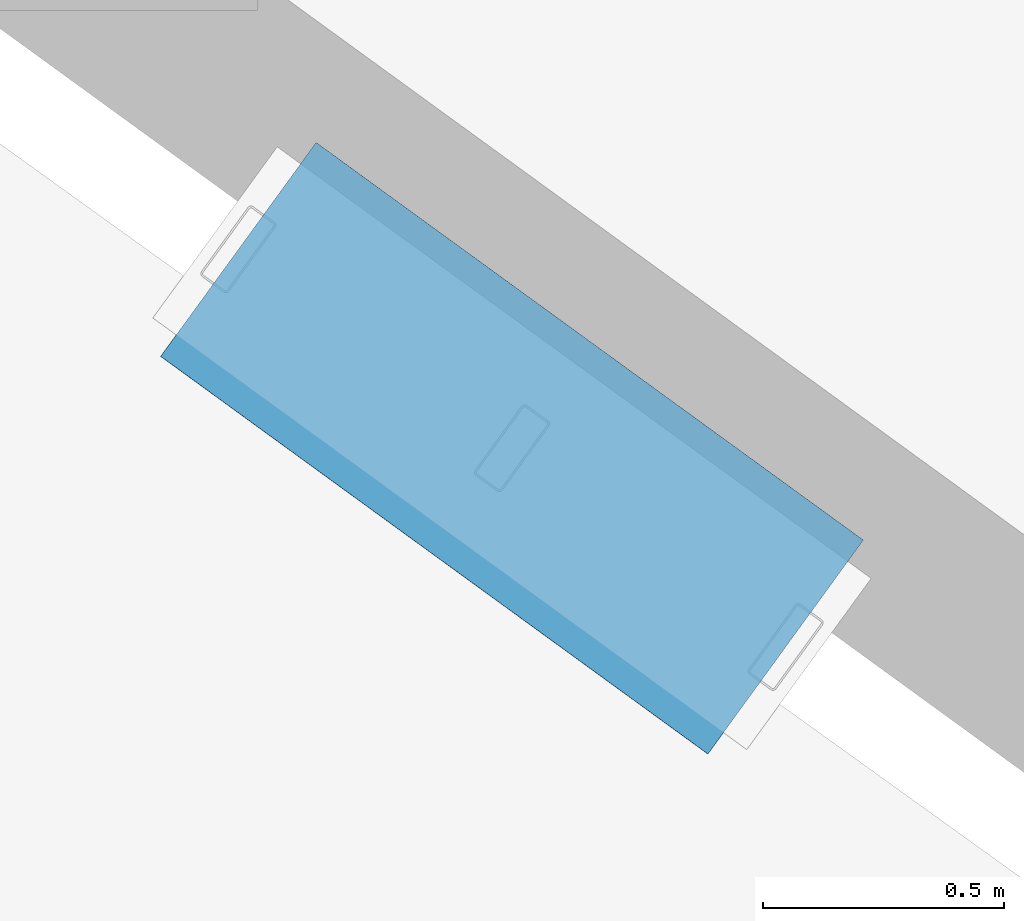
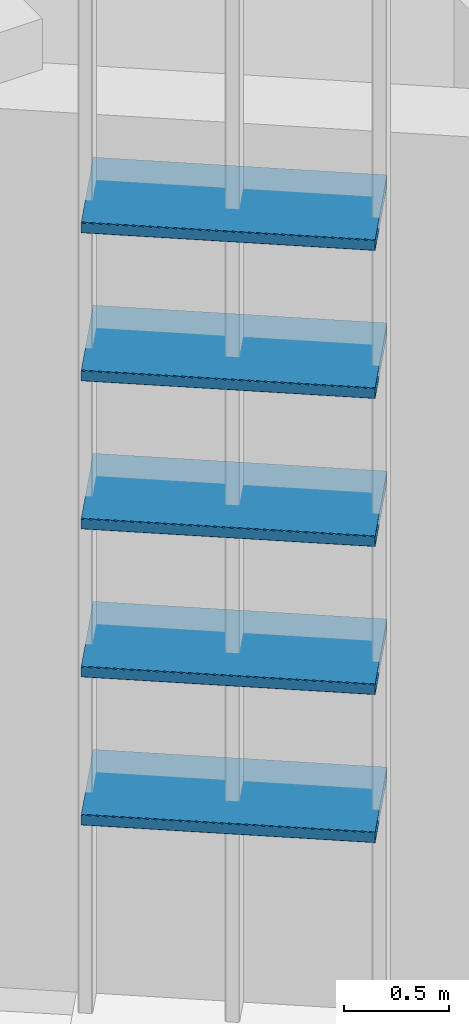
# One storey, part 47 of 372: 5 members.
"""IFC4 building model written with IfcOpenShell, lengths in metres."""

import ifcopenshell
import ifcopenshell.guid

model = None  # the IFC model being written
_history = None  # IfcOwnerHistory: only IFC2X3 demands one
_inside = {}  # id of a spatial element -> (the spatial element, [elements in it])
_under = {}  # id of a project, library or spatial element -> (it, [spatial elements below it])
_declared = {}  # id of a project -> (the project, [libraries it declares])
_typed = {}  # id of a type object -> (the type object, [elements of that type])
_made_of = {}  # id of a material, layer set ... -> (it, [elements and type objects made of it])


def new_model(schema):
    """Start an empty IFC model of exactly this schema.

    Asked for "IFC4X3", IfcOpenShell would pick the latest addendum, in which some entities
    have other attributes; the version numbers below select the first issue.
    IFC2X3 requires an IfcOwnerHistory on every rooted entity: one is made here for all.
    """
    global model, _history
    if schema == "IFC4X3":
        model = ifcopenshell.file(schema_version=(4, 3, 0, 0))
    else:
        model = ifcopenshell.file(schema=schema)
    _inside.clear()
    _under.clear()
    _declared.clear()
    _typed.clear()
    _made_of.clear()
    _history = None
    if model.schema == "IFC2X3":
        org = make("IfcOrganization", Name="unknown")
        user = make(
            "IfcPersonAndOrganization",
            ThePerson=make("IfcPerson", FamilyName="unknown"),
            TheOrganization=org,
        )
        app = make(
            "IfcApplication",
            ApplicationDeveloper=org,
            Version="unknown",
            ApplicationFullName="unknown",
            ApplicationIdentifier="unknown",
        )
        _history = make(
            "IfcOwnerHistory",
            OwningUser=user,
            OwningApplication=app,
            ChangeAction="ADDED",
            CreationDate=0,
        )
    return model


def make(cls, **values):
    """One entity of the class cls with the attributes given. An attribute that is None is left unset."""
    return model.create_entity(
        cls, **{name: value for name, value in values.items() if value is not None}
    )


def rooted(cls, **values):
    """An entity with a GlobalId (a new one), such as an element, a storey or a relation."""
    return make(cls, GlobalId=ifcopenshell.guid.new(), OwnerHistory=_history, **values)


def si_unit(unit_type, name, prefix=None):
    """IfcSIUnit, for example si_unit("LENGTHUNIT", "METRE", prefix="MILLI")."""
    return make("IfcSIUnit", UnitType=unit_type, Prefix=prefix, Name=name)


def assignment(units):
    """IfcUnitAssignment: the units of a project."""
    return None if units is None else make("IfcUnitAssignment", Units=units)


def point(xyz):
    """IfcCartesianPoint."""
    return None if xyz is None else make("IfcCartesianPoint", Coordinates=xyz)


def direction(xyz):
    """IfcDirection."""
    return None if xyz is None else make("IfcDirection", DirectionRatios=xyz)


def frame(location, z_axis=None, x_axis=None):
    """IfcAxis2Placement3D, a coordinate frame: its origin and axes. An axis left out is left unset."""
    return make(
        "IfcAxis2Placement3D",
        Location=point(location),
        Axis=direction(z_axis),
        RefDirection=direction(x_axis),
    )


def frame_2d(location, x_axis=None):
    """IfcAxis2Placement2D, a coordinate frame in the plane: its origin and x axis."""
    return make(
        "IfcAxis2Placement2D", Location=point(location), RefDirection=direction(x_axis)
    )


def origin():
    """The frame at (0, 0, 0) with its axes left unset."""
    return frame((0.0, 0.0, 0.0))


def origin_2d():
    """The frame at (0, 0) in the plane with its x axis left unset."""
    return frame_2d((0.0, 0.0))


def place(relative_to, where):
    """IfcLocalPlacement: puts the frame where relative to a parent placement (None: the world)."""
    return make(
        "IfcLocalPlacement", PlacementRelTo=relative_to, RelativePlacement=where
    )


def context(
    kind, dimensions, precision=None, world=None, true_north=None, identifier=None
):
    """IfcGeometricRepresentationContext, for example the 3D "Model" context."""
    return make(
        "IfcGeometricRepresentationContext",
        ContextIdentifier=identifier,
        ContextType=kind,
        CoordinateSpaceDimension=dimensions,
        Precision=precision,
        WorldCoordinateSystem=world,
        TrueNorth=true_north,
    )


def subcontext(parent, identifier, kind, view, scale=None):
    """IfcGeometricRepresentationSubContext, for example "Body" below "Model"."""
    return make(
        "IfcGeometricRepresentationSubContext",
        ContextIdentifier=identifier,
        ContextType=kind,
        ParentContext=parent,
        TargetScale=scale,
        TargetView=view,
    )


def project(units=None, contexts=None):
    """IfcProject with its units and contexts."""
    return rooted(
        "IfcProject",
        Name="project",
        RepresentationContexts=contexts,
        UnitsInContext=assignment(units),
    )


def spatial(cls, under=None, at=None, **own):
    """A site, building, storey or space (cls), placed at a placement, below another one or the project."""
    s = rooted(cls, ObjectPlacement=at, **own)
    if under is not None:
        _under.setdefault(under.id(), (under, []))[1].append(s)
    return s


def profile(cls, at=None, kind="AREA", **sizes):
    """A parametric profile (cls). Its sizes go by their IFC names, for example OverallWidth=200.0."""
    return make(cls, ProfileType=kind, Position=at, **sizes)


def hollow_rectangle(**sizes):
    """IfcRectangleHollowProfileDef."""
    return profile("IfcRectangleHollowProfileDef", **sizes)


def extrude(swept, where, along, depth):
    """IfcExtrudedAreaSolid: the profile swept, set in the frame where, extruded along a direction by depth."""
    return make(
        "IfcExtrudedAreaSolid",
        SweptArea=swept,
        Position=where,
        ExtrudedDirection=direction(along),
        Depth=depth,
    )


def shape(context_of_items, identifier, shape_type, items):
    """IfcShapeRepresentation: the items that make up one representation, for example the "Body"."""
    return make(
        "IfcShapeRepresentation",
        ContextOfItems=context_of_items,
        RepresentationIdentifier=identifier,
        RepresentationType=shape_type,
        Items=items,
    )


def material(Name=None, Category=None):
    """IfcMaterial."""
    return make("IfcMaterial", Name=Name, Category=Category)


def material_profile(
    of_material, cross_section, Name=None, Category=None, Priority=None
):
    """IfcMaterialProfile: a cross section and its material."""
    return make(
        "IfcMaterialProfile",
        Name=Name,
        Material=of_material,
        Profile=cross_section,
        Priority=Priority,
        Category=Category,
    )


def profile_set(profiles, Name=None, composite=None):
    """IfcMaterialProfileSet."""
    return make(
        "IfcMaterialProfileSet",
        Name=Name,
        MaterialProfiles=profiles,
        CompositeProfile=composite,
    )


def made_of(thing, what):
    """Note that an element or type object is made of a material, layer set ...; save() writes the relation."""
    if what is not None:
        _made_of.setdefault(what.id(), (what, []))[1].append(thing)
    return thing


def type_object(cls, material=None, **own):
    """A type object (cls), such as IfcWallType, which elements share."""
    return made_of(rooted(cls, **own), material)


def element(
    cls,
    number,
    at=None,
    inside=None,
    cuts=None,
    type_object=None,
    material=None,
    context=None,
    identifier="Body",
    shape_type=None,
    held_by="IfcProductDefinitionShape",
    body=None,
    shapes=None,
    **own,
):
    """One element of the class cls, such as IfcWall. Its Tag is "e" and its number.

    at: its placement. inside: the storey or other place that contains it. cuts: it is an
    opening in that element (IfcRelVoidsElement). A single representation is given by context,
    identifier, shape_type and body (its items); several are given by shapes. held_by: the class
    of the entity that holds the representations. save() writes the other relations.
    """
    e = rooted(cls, Tag="e%d" % number, ObjectPlacement=at, **own)
    if body is not None:
        shapes = [shape(context, identifier, shape_type, body)]
    if shapes is not None:
        e.Representation = make(held_by, Representations=shapes)
    if inside is not None:
        _inside.setdefault(inside.id(), (inside, []))[1].append(e)
    if cuts is not None:
        rooted(
            "IfcRelVoidsElement", RelatingBuildingElement=cuts, RelatedOpeningElement=e
        )
    if type_object is not None:
        _typed.setdefault(type_object.id(), (type_object, []))[1].append(e)
    return made_of(e, material)


def aggregate(whole, parts):
    """IfcRelAggregates: a whole, such as a stair, and the parts it consists of."""
    return rooted("IfcRelAggregates", RelatingObject=whole, RelatedObjects=parts)


def save(model, path):
    """Write the relations noted so far, then the file.

    IfcRelAggregates (storeys below a building ...), IfcRelContainedInSpatialStructure (elements
    in a storey), IfcRelDefinesByType, IfcRelAssociatesMaterial and IfcRelDeclares: one each for
    every whole, place, type object, material and project.
    """
    for whole, parts in _under.values():
        aggregate(whole, parts)
    for where, things in _inside.values():
        rooted(
            "IfcRelContainedInSpatialStructure",
            RelatedElements=things,
            RelatingStructure=where,
        )
    for kind, things in _typed.values():
        rooted("IfcRelDefinesByType", RelatedObjects=things, RelatingType=kind)
    for what, things in _made_of.values():
        rooted("IfcRelAssociatesMaterial", RelatedObjects=things, RelatingMaterial=what)
    for by, libraries in _declared.values():
        rooted("IfcRelDeclares", RelatingContext=by, RelatedDefinitions=libraries)
    model.write(path)


model = new_model("IFC4")

# Units and contexts
model_context = context("Model", 3, precision=1e-05, world=origin(), true_north=direction((0.0, 1.0)))
body_context = subcontext(model_context, "Body", "Model", "MODEL_VIEW")
ifc_project = project(units=[si_unit("LENGTHUNIT", "METRE"), si_unit("AREAUNIT", "SQUARE_METRE"), si_unit("VOLUMEUNIT", "CUBIC_METRE"), si_unit("PLANEANGLEUNIT", "RADIAN"), si_unit("MASSUNIT", "GRAM", prefix="KILO")], contexts=[model_context])

# Site, building, storey
site_placement = place(None, origin())
site = spatial("IfcSite", under=ifc_project, at=site_placement, CompositionType="ELEMENT")
building_placement = place(site_placement, origin())
building = spatial("IfcBuilding", under=site, at=building_placement, Name="Kaelora Sail Theatre", CompositionType="ELEMENT")
storey_placement = place(building_placement, origin())
storey = spatial("IfcBuildingStorey", under=building, at=storey_placement, Name="L00", CompositionType="ELEMENT", Elevation=0.0)

# Members
ifc_material = material(Name="Anodised aluminium 6063-T6", Category="aluminium")
ifc_material_profile = material_profile(ifc_material, hollow_rectangle(XDim=0.550048828125, YDim=0.06494140625, WallThickness=0.00390625, InnerFilletRadius=0.00390625, OuterFilletRadius=0.008056640625, at=origin_2d()), Name="LOUVRE 550x65x4")
ifc_profile_set = profile_set([ifc_material_profile], Name="Anodised aluminium 6063-T6")
member_type = type_object("IfcMemberType", Name="ARC-MEM-LVR-300", PredefinedType="USERDEFINED", material=ifc_profile_set)
for number, where, z_axis, x_axis, name in (
    (1, (35.500732421875, 25.6796875, 1.25), (-0.808991251883, 0.587820682162, 0.0), (-0.587820682162, -0.808991251883, 0.0), "Main Theatre Sail Drum horizontal solar louvre C14-01"),
    (2, (35.500732421875, 25.6796875, 2.110107421875), (-0.808991251883, 0.587820682162, 0.0), (-0.587820682162, -0.808991251883, 0.0), "Main Theatre Sail Drum horizontal solar louvre C14-02"),
    (3, (35.500732421875, 25.6796875, 2.969970703125), (-0.808991251883, 0.587820682162, 0.0), (-0.587820682162, -0.808991251883, 0.0), "Main Theatre Sail Drum horizontal solar louvre C14-03"),
    (4, (35.500732421875, 25.6796875, 3.830078125), (-0.808991251883, 0.587820682162, 0.0), (-0.587820682162, -0.808991251883, 0.0), "Main Theatre Sail Drum horizontal solar louvre C14-04"),
    (5, (35.500732421875, 25.6796875, 4.68994140625), (-0.808991251883, 0.587820682162, 0.0), (-0.587820682162, -0.808991251883, 0.0), "Main Theatre Sail Drum horizontal solar louvre C14-05"),
):
    element("IfcMember", number, at=place(storey_placement, frame(where, z_axis=z_axis, x_axis=x_axis)), inside=storey, type_object=member_type, Name=name, ObjectType="LOUVRE", PredefinedType="USERDEFINED", context=body_context, shape_type="SweptSolid", body=[
        extrude(hollow_rectangle(XDim=0.550048828125, YDim=0.06494140625, WallThickness=0.00390625, InnerFilletRadius=0.00390625, OuterFilletRadius=0.008056640625, at=origin_2d()), origin(), (0.0, 0.0, 1.0), 1.40625),
    ])

save(model, "model.ifc")
